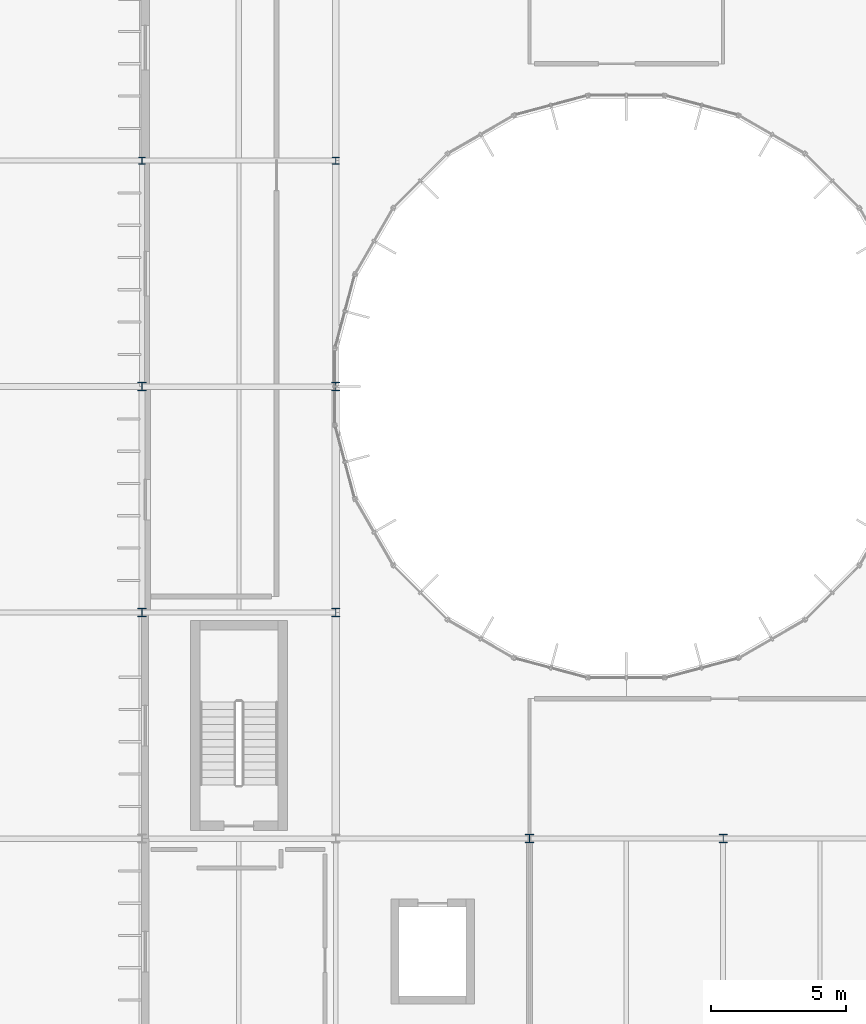
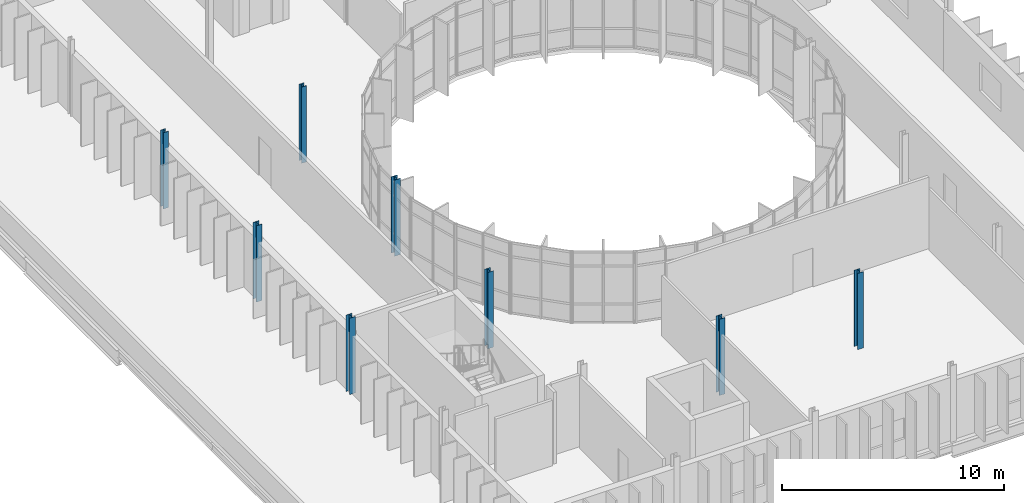
# One storey, part 2 of 52: 8 columns.
"""IFC4 building model written with IfcOpenShell, lengths in metres."""

from ifc_helpers import new_model, si_unit, direction, frame, origin, origin_2d, place, context, subcontext, project, spatial, i_section, extrude, material, material_profile, profile_set, type_object, element, save


model = new_model("IFC4")

# Units and contexts
model_context = context("Model", 3, precision=1e-05, world=origin(), true_north=direction((0.0, 1.0)))
body_context = subcontext(model_context, "Body", "Model", "MODEL_VIEW")
ifc_project = project(units=[si_unit("LENGTHUNIT", "METRE"), si_unit("AREAUNIT", "SQUARE_METRE"), si_unit("VOLUMEUNIT", "CUBIC_METRE"), si_unit("PLANEANGLEUNIT", "RADIAN"), si_unit("MASSUNIT", "GRAM", prefix="KILO")], contexts=[model_context])

# Site, building, storey
site_placement = place(None, origin())
site = spatial("IfcSite", under=ifc_project, at=site_placement, CompositionType="ELEMENT")
building_placement = place(site_placement, origin())
building = spatial("IfcBuilding", under=site, at=building_placement, Name="Qelthora Terrace Specialist Clinic", CompositionType="ELEMENT")
storey_placement = place(building_placement, frame((0.0, 0.0, 17.39990234375)))
storey = spatial("IfcBuildingStorey", under=building, at=storey_placement, Name="L04", CompositionType="ELEMENT", Elevation=17.39990234375)

# Columns
ifc_material = material(Name="Steel S355", Category="steel")
ifc_material_profile_1 = material_profile(ifc_material, i_section(OverallWidth=0.25390625, OverallDepth=0.2529296875, WebThickness=0.008544921875, FlangeThickness=0.01416015625, FilletRadius=0.012939453125, at=origin_2d()), Name="W250X73")
ifc_profile_set_1 = profile_set([ifc_material_profile_1], Name="Steel S355")
column_type_1 = type_object("IfcColumnType", Name="COL-W250X73", PredefinedType="COLUMN", material=ifc_profile_set_1)
column_1_placement = place(storey_placement, frame((7.199951171875, 92.39990234375, 0.0), z_axis=(0.0, 0.0, 1.0), x_axis=(1.0, 0.0, 0.0)))
element("IfcColumn", 1, at=column_1_placement, inside=storey, type_object=column_type_1, Name="Column L04-026", PredefinedType="COLUMN", context=body_context, shape_type="SweptSolid", body=[
    extrude(i_section(OverallWidth=0.25390625, OverallDepth=0.2529296875, WebThickness=0.008544921875, FlangeThickness=0.01416015625, FilletRadius=0.012939453125, at=origin_2d()), origin(), (0.0, 0.0, 1.0), 4.2001953125),
])
ifc_material_profile_2 = material_profile(ifc_material, i_section(OverallWidth=0.256103515625, OverallDepth=0.260009765625, WebThickness=0.0107421875, FlangeThickness=0.017333984375, FilletRadius=0.012939453125, at=origin_2d()), Name="W250X89")
ifc_profile_set_2 = profile_set([ifc_material_profile_2], Name="Steel S355")
column_type_2 = type_object("IfcColumnType", Name="COL-W250X89", PredefinedType="COLUMN", material=ifc_profile_set_2)
column_2_placement = place(storey_placement, frame((14.39990234375, 92.39990234375, 0.0), z_axis=(0.0, 0.0, 1.0), x_axis=(1.0, 0.0, 0.0)))
element("IfcColumn", 2, at=column_2_placement, inside=storey, type_object=column_type_2, Name="Column L04-040", PredefinedType="COLUMN", context=body_context, shape_type="SweptSolid", body=[
    extrude(i_section(OverallWidth=0.256103515625, OverallDepth=0.260009765625, WebThickness=0.0107421875, FlangeThickness=0.017333984375, FilletRadius=0.012939453125, at=origin_2d()), origin(), (0.0, 0.0, 1.0), 4.2001953125),
])
ifc_material_profile_3 = material_profile(ifc_material, i_section(OverallWidth=0.305908203125, OverallDepth=0.31103515625, WebThickness=0.010986328125, FlangeThickness=0.01708984375, FilletRadius=0.014892578125, at=origin_2d()), Name="W310X107")
ifc_profile_set_3 = profile_set([ifc_material_profile_3], Name="Steel S355")
column_type_3 = type_object("IfcColumnType", Name="COL-W310X107", PredefinedType="COLUMN", material=ifc_profile_set_3)
column_3_placement = place(storey_placement, frame((7.199951171875, 84.0, 0.0), z_axis=(0.0, 0.0, 1.0), x_axis=(1.0, 0.0, 0.0)))
element("IfcColumn", 3, at=column_3_placement, inside=storey, type_object=column_type_3, Name="Column L04-025", PredefinedType="COLUMN", context=body_context, shape_type="SweptSolid", body=[
    extrude(i_section(OverallWidth=0.305908203125, OverallDepth=0.31103515625, WebThickness=0.010986328125, FlangeThickness=0.01708984375, FilletRadius=0.014892578125, at=origin_2d()), origin(), (0.0, 0.0, 1.0), 4.2001953125),
])
ifc_material_profile_4 = material_profile(ifc_material, i_section(OverallWidth=0.306884765625, OverallDepth=0.31396484375, WebThickness=0.011962890625, FlangeThickness=0.018798828125, FilletRadius=0.01611328125, at=origin_2d()), Name="W310X118")
ifc_profile_set_4 = profile_set([ifc_material_profile_4], Name="Steel S355")
column_type_4 = type_object("IfcColumnType", Name="COL-W310X118", PredefinedType="COLUMN", material=ifc_profile_set_4)
for number, where, z_axis, x_axis, name in (
    (4, (7.199951171875, 75.60009765625, 0.0), (0.0, 0.0, 1.0), (1.0, 0.0, 0.0), "Column L04-024"),
    (5, (14.39990234375, 84.0, 0.0), (0.0, 0.0, 1.0), (1.0, 0.0, 0.0), "Column L04-039"),
    (6, (21.60009765625, 67.199951171875, 0.0), (0.0, 0.0, 1.0), (1.0, 0.0, 0.0), "Column L04-051"),
):
    element("IfcColumn", number, at=place(storey_placement, frame(where, z_axis=z_axis, x_axis=x_axis)), inside=storey, type_object=column_type_4, Name=name, PredefinedType="COLUMN", context=body_context, shape_type="SweptSolid", body=[
        extrude(i_section(OverallWidth=0.306884765625, OverallDepth=0.31396484375, WebThickness=0.011962890625, FlangeThickness=0.018798828125, FilletRadius=0.01611328125, at=origin_2d()), origin(), (0.0, 0.0, 1.0), 4.2001953125),
    ])
ifc_material_profile_5 = material_profile(ifc_material, i_section(OverallWidth=0.304931640625, OverallDepth=0.30810546875, WebThickness=0.010009765625, FlangeThickness=0.015380859375, FilletRadius=0.014892578125, at=origin_2d()), Name="W310X97")
ifc_profile_set_5 = profile_set([ifc_material_profile_5], Name="Steel S355")
column_type_5 = type_object("IfcColumnType", Name="COL-W310X97", PredefinedType="COLUMN", material=ifc_profile_set_5)
for number, where, z_axis, x_axis, name in (
    (7, (14.39990234375, 75.60009765625, 0.0), (0.0, 0.0, 1.0), (1.0, 0.0, 0.0), "Column L04-038"),
    (8, (28.800048828125, 67.199951171875, 0.0), (0.0, 0.0, 1.0), (1.0, 0.0, 0.0), "Column L04-062"),
):
    element("IfcColumn", number, at=place(storey_placement, frame(where, z_axis=z_axis, x_axis=x_axis)), inside=storey, type_object=column_type_5, Name=name, PredefinedType="COLUMN", context=body_context, shape_type="SweptSolid", body=[
        extrude(i_section(OverallWidth=0.304931640625, OverallDepth=0.30810546875, WebThickness=0.010009765625, FlangeThickness=0.015380859375, FilletRadius=0.014892578125, at=origin_2d()), origin(), (0.0, 0.0, 1.0), 4.2001953125),
    ])

save(model, "model.ifc")
